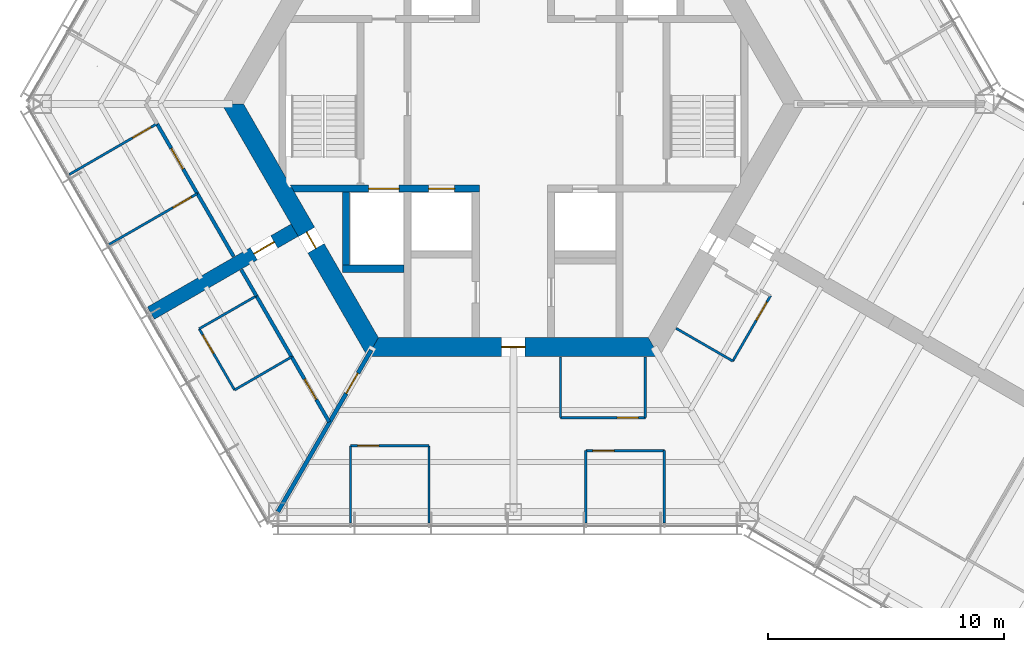
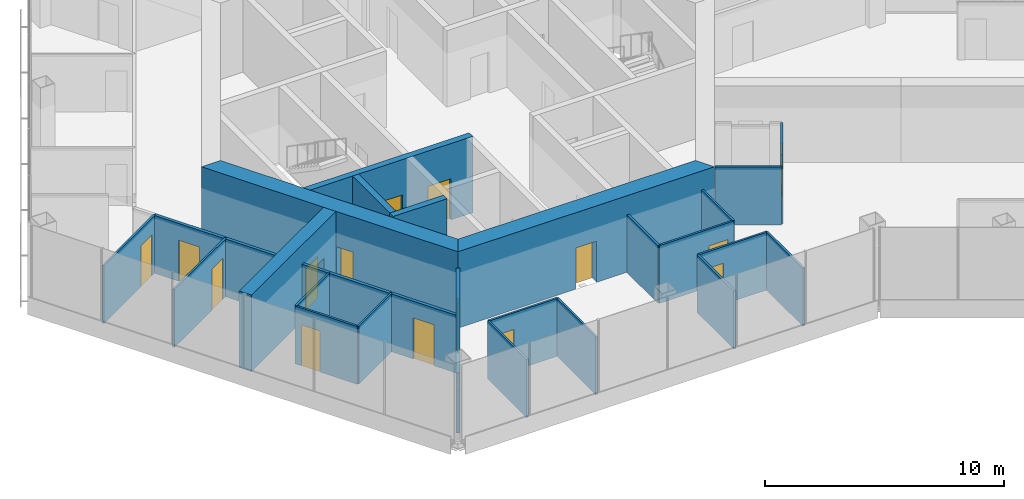
# One storey, part 10 of 17: 28 walls, 15 doors, 15 openings.
"""IFC4 building model written with IfcOpenShell, lengths in metres."""

import ifcopenshell
import ifcopenshell.guid

model = None  # the IFC model being written
_history = None  # IfcOwnerHistory: only IFC2X3 demands one
_inside = {}  # id of a spatial element -> (the spatial element, [elements in it])
_under = {}  # id of a project, library or spatial element -> (it, [spatial elements below it])
_declared = {}  # id of a project -> (the project, [libraries it declares])
_typed = {}  # id of a type object -> (the type object, [elements of that type])
_made_of = {}  # id of a material, layer set ... -> (it, [elements and type objects made of it])


def new_model(schema):
    """Start an empty IFC model of exactly this schema.

    Asked for "IFC4X3", IfcOpenShell would pick the latest addendum, in which some entities
    have other attributes; the version numbers below select the first issue.
    IFC2X3 requires an IfcOwnerHistory on every rooted entity: one is made here for all.
    """
    global model, _history
    if schema == "IFC4X3":
        model = ifcopenshell.file(schema_version=(4, 3, 0, 0))
    else:
        model = ifcopenshell.file(schema=schema)
    _inside.clear()
    _under.clear()
    _declared.clear()
    _typed.clear()
    _made_of.clear()
    _history = None
    if model.schema == "IFC2X3":
        org = make("IfcOrganization", Name="unknown")
        user = make(
            "IfcPersonAndOrganization",
            ThePerson=make("IfcPerson", FamilyName="unknown"),
            TheOrganization=org,
        )
        app = make(
            "IfcApplication",
            ApplicationDeveloper=org,
            Version="unknown",
            ApplicationFullName="unknown",
            ApplicationIdentifier="unknown",
        )
        _history = make(
            "IfcOwnerHistory",
            OwningUser=user,
            OwningApplication=app,
            ChangeAction="ADDED",
            CreationDate=0,
        )
    return model


def make(cls, **values):
    """One entity of the class cls with the attributes given. An attribute that is None is left unset."""
    return model.create_entity(
        cls, **{name: value for name, value in values.items() if value is not None}
    )


def rooted(cls, **values):
    """An entity with a GlobalId (a new one), such as an element, a storey or a relation."""
    return make(cls, GlobalId=ifcopenshell.guid.new(), OwnerHistory=_history, **values)


def si_unit(unit_type, name, prefix=None):
    """IfcSIUnit, for example si_unit("LENGTHUNIT", "METRE", prefix="MILLI")."""
    return make("IfcSIUnit", UnitType=unit_type, Prefix=prefix, Name=name)


def assignment(units):
    """IfcUnitAssignment: the units of a project."""
    return None if units is None else make("IfcUnitAssignment", Units=units)


def point(xyz):
    """IfcCartesianPoint."""
    return None if xyz is None else make("IfcCartesianPoint", Coordinates=xyz)


def direction(xyz):
    """IfcDirection."""
    return None if xyz is None else make("IfcDirection", DirectionRatios=xyz)


def frame(location, z_axis=None, x_axis=None):
    """IfcAxis2Placement3D, a coordinate frame: its origin and axes. An axis left out is left unset."""
    return make(
        "IfcAxis2Placement3D",
        Location=point(location),
        Axis=direction(z_axis),
        RefDirection=direction(x_axis),
    )


def frame_2d(location, x_axis=None):
    """IfcAxis2Placement2D, a coordinate frame in the plane: its origin and x axis."""
    return make(
        "IfcAxis2Placement2D", Location=point(location), RefDirection=direction(x_axis)
    )


def origin():
    """The frame at (0, 0, 0) with its axes left unset."""
    return frame((0.0, 0.0, 0.0))


def place(relative_to, where):
    """IfcLocalPlacement: puts the frame where relative to a parent placement (None: the world)."""
    return make(
        "IfcLocalPlacement", PlacementRelTo=relative_to, RelativePlacement=where
    )


def context(
    kind, dimensions, precision=None, world=None, true_north=None, identifier=None
):
    """IfcGeometricRepresentationContext, for example the 3D "Model" context."""
    return make(
        "IfcGeometricRepresentationContext",
        ContextIdentifier=identifier,
        ContextType=kind,
        CoordinateSpaceDimension=dimensions,
        Precision=precision,
        WorldCoordinateSystem=world,
        TrueNorth=true_north,
    )


def subcontext(parent, identifier, kind, view, scale=None):
    """IfcGeometricRepresentationSubContext, for example "Body" below "Model"."""
    return make(
        "IfcGeometricRepresentationSubContext",
        ContextIdentifier=identifier,
        ContextType=kind,
        ParentContext=parent,
        TargetScale=scale,
        TargetView=view,
    )


def project(units=None, contexts=None):
    """IfcProject with its units and contexts."""
    return rooted(
        "IfcProject",
        Name="project",
        RepresentationContexts=contexts,
        UnitsInContext=assignment(units),
    )


def spatial(cls, under=None, at=None, **own):
    """A site, building, storey or space (cls), placed at a placement, below another one or the project."""
    s = rooted(cls, ObjectPlacement=at, **own)
    if under is not None:
        _under.setdefault(under.id(), (under, []))[1].append(s)
    return s


def polyline(points):
    """IfcPolyline through the points."""
    return make("IfcPolyline", Points=[point(p) for p in points])


def profile(cls, at=None, kind="AREA", **sizes):
    """A parametric profile (cls). Its sizes go by their IFC names, for example OverallWidth=200.0."""
    return make(cls, ProfileType=kind, Position=at, **sizes)


def rectangle(**sizes):
    """IfcRectangleProfileDef."""
    return profile("IfcRectangleProfileDef", **sizes)


def outline(outer, holes=None, kind="AREA"):
    """IfcArbitraryClosedProfileDef: a profile drawn as a closed curve; with holes, ...WithVoids."""
    if holes is None:
        return make("IfcArbitraryClosedProfileDef", ProfileType=kind, OuterCurve=outer)
    return make(
        "IfcArbitraryProfileDefWithVoids",
        ProfileType=kind,
        OuterCurve=outer,
        InnerCurves=holes,
    )


def extrude(swept, where, along, depth):
    """IfcExtrudedAreaSolid: the profile swept, set in the frame where, extruded along a direction by depth."""
    return make(
        "IfcExtrudedAreaSolid",
        SweptArea=swept,
        Position=where,
        ExtrudedDirection=direction(along),
        Depth=depth,
    )


def shape(context_of_items, identifier, shape_type, items):
    """IfcShapeRepresentation: the items that make up one representation, for example the "Body"."""
    return make(
        "IfcShapeRepresentation",
        ContextOfItems=context_of_items,
        RepresentationIdentifier=identifier,
        RepresentationType=shape_type,
        Items=items,
    )


def material(Name=None, Category=None):
    """IfcMaterial."""
    return make("IfcMaterial", Name=Name, Category=Category)


def layer(
    of_material, thickness, ventilated=None, Name=None, Category=None, Priority=None
):
    """IfcMaterialLayer: one layer of a wall or slab, of a material (None: an air gap)."""
    return make(
        "IfcMaterialLayer",
        Material=of_material,
        LayerThickness=thickness,
        IsVentilated=ventilated,
        Name=Name,
        Category=Category,
        Priority=Priority,
    )


def layer_set(layers, Name=None):
    """IfcMaterialLayerSet."""
    return make("IfcMaterialLayerSet", MaterialLayers=layers, LayerSetName=Name)


def made_of(thing, what):
    """Note that an element or type object is made of a material, layer set ...; save() writes the relation."""
    if what is not None:
        _made_of.setdefault(what.id(), (what, []))[1].append(thing)
    return thing


def type_object(cls, material=None, **own):
    """A type object (cls), such as IfcWallType, which elements share."""
    return made_of(rooted(cls, **own), material)


def element(
    cls,
    number,
    at=None,
    inside=None,
    cuts=None,
    type_object=None,
    material=None,
    context=None,
    identifier="Body",
    shape_type=None,
    held_by="IfcProductDefinitionShape",
    body=None,
    shapes=None,
    **own,
):
    """One element of the class cls, such as IfcWall. Its Tag is "e" and its number.

    at: its placement. inside: the storey or other place that contains it. cuts: it is an
    opening in that element (IfcRelVoidsElement). A single representation is given by context,
    identifier, shape_type and body (its items); several are given by shapes. held_by: the class
    of the entity that holds the representations. save() writes the other relations.
    """
    e = rooted(cls, Tag="e%d" % number, ObjectPlacement=at, **own)
    if body is not None:
        shapes = [shape(context, identifier, shape_type, body)]
    if shapes is not None:
        e.Representation = make(held_by, Representations=shapes)
    if inside is not None:
        _inside.setdefault(inside.id(), (inside, []))[1].append(e)
    if cuts is not None:
        rooted(
            "IfcRelVoidsElement", RelatingBuildingElement=cuts, RelatedOpeningElement=e
        )
    if type_object is not None:
        _typed.setdefault(type_object.id(), (type_object, []))[1].append(e)
    return made_of(e, material)


def fill(opening, filler):
    """IfcRelFillsElement: the door or window that sits in an opening."""
    return rooted(
        "IfcRelFillsElement",
        RelatingOpeningElement=opening,
        RelatedBuildingElement=filler,
    )


def aggregate(whole, parts):
    """IfcRelAggregates: a whole, such as a stair, and the parts it consists of."""
    return rooted("IfcRelAggregates", RelatingObject=whole, RelatedObjects=parts)


def save(model, path):
    """Write the relations noted so far, then the file.

    IfcRelAggregates (storeys below a building ...), IfcRelContainedInSpatialStructure (elements
    in a storey), IfcRelDefinesByType, IfcRelAssociatesMaterial and IfcRelDeclares: one each for
    every whole, place, type object, material and project.
    """
    for whole, parts in _under.values():
        aggregate(whole, parts)
    for where, things in _inside.values():
        rooted(
            "IfcRelContainedInSpatialStructure",
            RelatedElements=things,
            RelatingStructure=where,
        )
    for kind, things in _typed.values():
        rooted("IfcRelDefinesByType", RelatedObjects=things, RelatingType=kind)
    for what, things in _made_of.values():
        rooted("IfcRelAssociatesMaterial", RelatedObjects=things, RelatingMaterial=what)
    for by, libraries in _declared.values():
        rooted("IfcRelDeclares", RelatingContext=by, RelatedDefinitions=libraries)
    model.write(path)


model = new_model("IFC4")

# Units and contexts
model_context = context("Model", 3, precision=1e-05, world=origin(), true_north=direction((0.0, 1.0)))
body_context = subcontext(model_context, "Body", "Model", "MODEL_VIEW")
ifc_project = project(units=[si_unit("LENGTHUNIT", "METRE"), si_unit("AREAUNIT", "SQUARE_METRE"), si_unit("VOLUMEUNIT", "CUBIC_METRE"), si_unit("PLANEANGLEUNIT", "RADIAN"), si_unit("MASSUNIT", "GRAM", prefix="KILO")], contexts=[model_context])

# Site, building, storey
site_placement = place(None, origin())
site = spatial("IfcSite", under=ifc_project, at=site_placement, CompositionType="ELEMENT")
building_placement = place(site_placement, origin())
building = spatial("IfcBuilding", under=site, at=building_placement, Name="Kasaneha Research Tower", CompositionType="ELEMENT")
storey_placement = place(building_placement, frame((0.0, 0.0, 224.5)))
storey = spatial("IfcBuildingStorey", under=building, at=storey_placement, Name="L56", CompositionType="ELEMENT", Elevation=224.5)

# Wall, openings, doors
ifc_material_1 = material(Name="Concrete Fc60", Category="concrete")
ifc_layer_1 = layer(ifc_material_1, 0.300048828125)
ifc_layer_set_1 = layer_set([ifc_layer_1], Name="Core internal wall 300 Fc60")
wall_type_1 = type_object("IfcWallType", Name="Core internal wall 300 Fc60", PredefinedType="SHEAR", material=ifc_layer_set_1)
wall_1_placement = place(storey_placement, frame((-9.3818359375, -3.60009765625, 0.0), z_axis=(0.0, 0.0, 1.0), x_axis=(1.0, 0.0, 0.0)))
wall_1 = element("IfcWall", 1, at=wall_1_placement, inside=storey, type_object=wall_type_1, Name="Core wall W2W L56", PredefinedType="SHEAR", context=body_context, shape_type="SweptSolid", body=[
    extrude(outline(polyline([(0.086669921875, -0.14990234375), (3.23193359375, -0.14990234375), (4.531982421875, -0.14990234375), (5.781982421875, -0.14990234375), (6.882080078125, -0.14990234375), (7.931884765625, -0.14990234375), (7.931884765625, 0.14990234375), (6.882080078125, 0.14990234375), (5.781982421875, 0.14990234375), (4.531982421875, 0.14990234375), (3.23193359375, 0.14990234375), (-0.086669921875, 0.14990234375), (0.086669921875, -0.14990234375)])), origin(), (0.0, 0.0, 1.0), 3.89990234375),
])
opening_1_placement = place(wall_1_placement, frame((5.781982421875, 0.0, 0.0)))
opening_1 = element("IfcOpeningElement", 2, at=opening_1_placement, cuts=wall_1, Name="Opening LD-LH1-L56", PredefinedType="OPENING", context=body_context, shape_type="SweptSolid", body=[
    extrude(rectangle(XDim=1.10009765625, YDim=2.10009765625, at=frame_2d((0.550048828125, 1.050048828125))), frame((0.0, 0.16015625, 0.0), z_axis=(0.0, -1.0, 0.0), x_axis=(1.0, 0.0, 0.0)), (0.0, 0.0, 1.0), 0.320068359375),
])
opening_2_placement = place(wall_1_placement, frame((3.23193359375, 0.0, 0.0)))
opening_2 = element("IfcOpeningElement", 3, at=opening_2_placement, cuts=wall_1, Name="Opening LD-FL2-L56", PredefinedType="OPENING", context=body_context, shape_type="SweptSolid", body=[
    extrude(rectangle(XDim=1.300048828125, YDim=2.10009765625, at=frame_2d((0.64990234375, 1.050048828125))), frame((0.0, 0.16015625, 0.0), z_axis=(0.0, -1.0, 0.0), x_axis=(1.0, 0.0, 0.0)), (0.0, 0.0, 1.0), 0.320068359375),
])
ifc_material_2 = material(Name="Steel", Category="steel")
door_type_1 = type_object("IfcDoorType", Name="Lift landing door 1100x2100", OperationType="DOUBLE_DOOR_SLIDING", PredefinedType="DOOR", material=ifc_material_2)
door_1_placement = place(opening_1_placement, origin())
door_1 = element("IfcDoor", 4, at=door_1_placement, inside=storey, type_object=door_type_1, Name="Landing door LH1 LD-LH1-L56", OperationType="DOUBLE_DOOR_SLIDING", OverallHeight=2.10009765625, OverallWidth=1.10009765625, PredefinedType="DOOR", context=body_context, shape_type="SweptSolid", body=[
    extrude(rectangle(XDim=1.10009765625, YDim=2.10009765625, at=frame_2d((0.550048828125, 1.050048828125))), frame((0.0, 0.02490234375, 0.0), z_axis=(0.0, -1.0, 0.0), x_axis=(1.0, 0.0, 0.0)), (0.0, 0.0, 1.0), 0.050048828125),
])
fill(opening_1, door_1)
ifc_material_3 = material(Name="Steel", Category="steel")
door_type_2 = type_object("IfcDoorType", Name="Lift landing door 1300x2100", OperationType="DOUBLE_DOOR_SLIDING", PredefinedType="DOOR", material=ifc_material_3)
door_2_placement = place(opening_2_placement, origin())
door_2 = element("IfcDoor", 5, at=door_2_placement, inside=storey, type_object=door_type_2, Name="Landing door FL2 LD-FL2-L56", OperationType="DOUBLE_DOOR_SLIDING", OverallHeight=2.10009765625, OverallWidth=1.300048828125, PredefinedType="DOOR", context=body_context, shape_type="SweptSolid", body=[
    extrude(rectangle(XDim=1.300048828125, YDim=2.10009765625, at=frame_2d((0.64990234375, 1.050048828125))), frame((0.0, 0.02490234375, 0.0), z_axis=(0.0, -1.0, 0.0), x_axis=(1.0, 0.0, 0.0)), (0.0, 0.0, 1.0), 0.050048828125),
])
fill(opening_2, door_2)

# Walls
wall_2_placement = place(storey_placement, frame((-7.25, -7.0, 0.0), z_axis=(0.0, 0.0, 1.0), x_axis=(1.0, 0.0, 0.0)))
element("IfcWall", 6, at=wall_2_placement, inside=storey, type_object=wall_type_1, Name="Core wall F2S L56", PredefinedType="SHEAR", context=body_context, shape_type="SweptSolid", body=[
    extrude(rectangle(XDim=2.60009765625, YDim=0.300048828125, at=frame_2d((1.300048828125, 0.0))), origin(), (0.0, 0.0, 1.0), 3.89990234375),
])
wall_3_placement = place(storey_placement, frame((-7.10009765625, -3.75, 0.0), z_axis=(0.0, 0.0, 1.0), x_axis=(0.0, -1.0, 0.0)))
element("IfcWall", 7, at=wall_3_placement, inside=storey, type_object=wall_type_1, Name="Core wall F2W L56", PredefinedType="SHEAR", context=body_context, shape_type="SweptSolid", body=[
    extrude(rectangle(XDim=3.10009765625, YDim=0.300048828125, at=frame_2d((1.550048828125, 0.0))), origin(), (0.0, 0.0, 1.0), 3.89990234375),
])

# Wall, opening, door
ifc_material_4 = material(Name="Concrete Fc60", Category="concrete")
ifc_layer_2 = layer(ifc_material_4, 0.800048828125)
ifc_layer_set_2 = layer_set([ifc_layer_2], Name="Core wall 800 Fc60")
wall_type_2 = type_object("IfcWallType", Name="Core wall 800 Fc60", PredefinedType="SHEAR", material=ifc_layer_set_2)
wall_4_placement = place(storey_placement, frame((-11.92236328125, 0.0, 0.0), z_axis=(0.0, 0.0, 1.0), x_axis=(0.500004296715, -0.866022923061, 0.0)))
wall_4 = element("IfcWall", 8, at=wall_4_placement, inside=storey, type_object=wall_type_2, Name="Core wall 210 L56", PredefinedType="SHEAR", context=body_context, shape_type="SweptSolid", body=[
    extrude(outline(polyline([(-0.23095703125, -0.39990234375), (6.28125, -0.39990234375), (7.081298828125, -0.39990234375), (12.1533203125, -0.39990234375), (11.69140625, 0.39990234375), (7.081298828125, 0.39990234375), (6.28125, 0.39990234375), (0.23095703125, 0.39990234375), (-0.23095703125, -0.39990234375)])), origin(), (0.0, 0.0, 1.0), 3.89990234375),
])
opening_3_placement = place(wall_4_placement, frame((6.28125, 0.0, 0.0)))
opening_3 = element("IfcOpeningElement", 9, at=opening_3_placement, cuts=wall_4, Name="Opening L56-D06", PredefinedType="OPENING", context=body_context, shape_type="SweptSolid", body=[
    extrude(rectangle(XDim=0.800048828125, YDim=2.10009765625, at=frame_2d((0.39990234375, 1.050048828125))), frame((0.0, 0.41015625, 0.0), z_axis=(0.0, -1.0, 0.0), x_axis=(1.0, 0.0, 0.0)), (0.0, 0.0, 1.0), 0.820068359375),
])
ifc_material_5 = material(Name="Steel", Category="steel")
door_type_3 = type_object("IfcDoorType", Name="Riser access door FD60 800x2100", OperationType="NOTDEFINED", PredefinedType="DOOR", material=ifc_material_5)
door_3_placement = place(opening_3_placement, origin())
door_3 = element("IfcDoor", 10, at=door_3_placement, inside=storey, type_object=door_type_3, Name="Duct riser door L56-D06", OperationType="SINGLE_SWING_RIGHT", OverallHeight=2.10009765625, OverallWidth=0.800048828125, PredefinedType="DOOR", context=body_context, shape_type="SweptSolid", body=[
    extrude(rectangle(XDim=0.800048828125, YDim=2.10009765625, at=frame_2d((0.39990234375, 1.050048828125))), frame((0.0, 0.02490234375, 0.0), z_axis=(0.0, -1.0, 0.0), x_axis=(1.0, 0.0, 0.0)), (0.0, 0.0, 1.0), 0.050048828125),
])
fill(opening_3, door_3)

wall_5_placement = place(storey_placement, frame((-5.961181640625, -10.324951171875, 0.0), z_axis=(0.0, 0.0, 1.0), x_axis=(1.0, 0.0, 0.0)))
wall_5 = element("IfcWall", 11, at=wall_5_placement, inside=storey, type_object=wall_type_2, Name="Core wall 270 L56", PredefinedType="SHEAR", context=body_context, shape_type="SweptSolid", body=[
    extrude(outline(polyline([(-0.23095703125, -0.39990234375), (5.461181640625, -0.39990234375), (6.461181640625, -0.39990234375), (12.1533203125, -0.39990234375), (11.69140625, 0.39990234375), (6.461181640625, 0.39990234375), (5.461181640625, 0.39990234375), (0.23095703125, 0.39990234375), (-0.23095703125, -0.39990234375)])), origin(), (0.0, 0.0, 1.0), 3.89990234375),
])
opening_4_placement = place(wall_5_placement, frame((5.461181640625, 0.0, 0.0)))
opening_4 = element("IfcOpeningElement", 12, at=opening_4_placement, cuts=wall_5, Name="Opening L56-D03", PredefinedType="OPENING", context=body_context, shape_type="SweptSolid", body=[
    extrude(rectangle(XDim=1.0, YDim=2.10009765625, at=frame_2d((0.5, 1.050048828125))), frame((0.0, 0.41015625, 0.0), z_axis=(0.0, -1.0, 0.0), x_axis=(1.0, 0.0, 0.0)), (0.0, 0.0, 1.0), 0.820068359375),
])
ifc_material_6 = material(Name="Steel", Category="steel")
door_type_4 = type_object("IfcDoorType", Name="Fire door FD20 1000x2100", OperationType="NOTDEFINED", PredefinedType="DOOR", material=ifc_material_6)
door_4_placement = place(opening_4_placement, origin())
door_4 = element("IfcDoor", 13, at=door_4_placement, inside=storey, type_object=door_type_4, Name="Core door south L56-D03", OperationType="SINGLE_SWING_LEFT", OverallHeight=2.10009765625, OverallWidth=1.0, PredefinedType="DOOR", context=body_context, shape_type="SweptSolid", body=[
    extrude(rectangle(XDim=1.0, YDim=2.10009765625, at=frame_2d((0.5, 1.050048828125))), frame((0.0, 0.02490234375, 0.0), z_axis=(0.0, -1.0, 0.0), x_axis=(1.0, 0.0, 0.0)), (0.0, 0.0, 1.0), 0.050048828125),
])
fill(opening_4, door_4)

ifc_material_7 = material(Name="Gypsum board on steel studs, one layer each side", Category="steel")
ifc_layer_3 = layer(ifc_material_7, 0.10009765625)
ifc_layer_set_3 = layer_set([ifc_layer_3], Name="Office partition 100")
wall_type_3 = type_object("IfcWallType", Name="Office partition 100", PredefinedType="PARTITIONING", material=ifc_layer_set_3)
wall_6_placement = place(storey_placement, frame((-17.171142578125, -5.969970703125, 0.0), z_axis=(0.0, 0.0, 1.0), x_axis=(0.866548575966, 0.499092742374, 0.0)))
wall_6 = element("IfcWall", 14, at=wall_6_placement, inside=storey, type_object=wall_type_3, Name="Office partition FBN11 L56", PredefinedType="PARTITIONING", context=body_context, shape_type="SweptSolid", body=[
    extrude(rectangle(XDim=4.33056640625, YDim=0.10009765625, at=frame_2d((2.165283203125, 0.0))), origin(), (0.0, 0.0, 1.0), 2.949951171875),
])
opening_5_placement = place(wall_6_placement, frame((3.130615234375, 0.0, 0.0)))
opening_5 = element("IfcOpeningElement", 15, at=opening_5_placement, cuts=wall_6, Name="Opening L56-D37", PredefinedType="OPENING", context=body_context, shape_type="SweptSolid", body=[
    extrude(rectangle(XDim=0.89990234375, YDim=2.10009765625, at=frame_2d((0.449951171875, 1.050048828125))), frame((0.0, 0.06005859375, 0.0), z_axis=(0.0, -1.0, 0.0), x_axis=(1.0, 0.0, 0.0)), (0.0, 0.0, 1.0), 0.1201171875),
])
ifc_material_8 = material(Name="Timber veneer", Category="wood")
door_type_5 = type_object("IfcDoorType", Name="Office door 900x2100", OperationType="SINGLE_SWING_LEFT", PredefinedType="DOOR", material=ifc_material_8)
door_5_placement = place(opening_5_placement, origin())
door_5 = element("IfcDoor", 16, at=door_5_placement, inside=storey, type_object=door_type_5, Name="Workroom door L56-D37", OperationType="SINGLE_SWING_RIGHT", OverallHeight=2.10009765625, OverallWidth=0.89990234375, PredefinedType="DOOR", context=body_context, shape_type="SweptSolid", body=[
    extrude(rectangle(XDim=0.89990234375, YDim=2.10009765625, at=frame_2d((0.449951171875, 1.050048828125))), frame((0.0, 0.02490234375, 0.0), z_axis=(0.0, -1.0, 0.0), x_axis=(1.0, 0.0, 0.0)), (0.0, 0.0, 1.0), 0.050048828125),
])
fill(opening_5, door_5)

wall_7_placement = place(storey_placement, frame((-15.130615234375, -0.843017578125, 0.0), z_axis=(0.0, 0.0, 1.0), x_axis=(-0.865525911664, -0.500864149484, 0.0)))
wall_7 = element("IfcWall", 17, at=wall_7_placement, inside=storey, type_object=wall_type_3, Name="Office partition FBN12 L56", PredefinedType="PARTITIONING", context=body_context, shape_type="SweptSolid", body=[
    extrude(rectangle(XDim=4.3056640625, YDim=0.10009765625, at=frame_2d((2.15283203125, 0.0))), origin(), (0.0, 0.0, 1.0), 2.949951171875),
])
opening_6_placement = place(wall_7_placement, frame((0.300048828125, 0.0, 0.0)))
opening_6 = element("IfcOpeningElement", 18, at=opening_6_placement, cuts=wall_7, Name="Opening L56-D38", PredefinedType="OPENING", context=body_context, shape_type="SweptSolid", body=[
    extrude(rectangle(XDim=0.89990234375, YDim=2.10009765625, at=frame_2d((0.449951171875, 1.050048828125))), frame((0.0, 0.06005859375, 0.0), z_axis=(0.0, -1.0, 0.0), x_axis=(1.0, 0.0, 0.0)), (0.0, 0.0, 1.0), 0.1201171875),
])
door_6_placement = place(opening_6_placement, origin())
door_6 = element("IfcDoor", 19, at=door_6_placement, inside=storey, type_object=door_type_5, Name="Phone room door L56-D38", OperationType="SINGLE_SWING_LEFT", OverallHeight=2.10009765625, OverallWidth=0.89990234375, PredefinedType="DOOR", context=body_context, shape_type="SweptSolid", body=[
    extrude(rectangle(XDim=0.89990234375, YDim=2.10009765625, at=frame_2d((0.449951171875, 1.050048828125))), frame((0.0, 0.02490234375, 0.0), z_axis=(0.0, -1.0, 0.0), x_axis=(1.0, 0.0, 0.0)), (0.0, 0.0, 1.0), 0.050048828125),
])
fill(opening_6, door_6)

# Wall
wall_8_placement = place(storey_placement, frame((-13.337890625, -9.548095703125, 0.0), z_axis=(0.0, 0.0, 1.0), x_axis=(0.866833758708, 0.498597267105, 0.0)))
element("IfcWall", 20, at=wall_8_placement, inside=storey, type_object=wall_type_3, Name="Office partition FBS04 L56", PredefinedType="PARTITIONING", context=body_context, shape_type="SweptSolid", body=[
    extrude(rectangle(XDim=2.7998046875, YDim=0.10009765625, at=frame_2d((1.39990234375, 0.0))), origin(), (0.0, 0.0, 1.0), 2.949951171875),
])

# Wall, opening, door
wall_9_placement = place(storey_placement, frame((-11.837890625, -12.146240234375, 0.0), z_axis=(0.0, 0.0, 1.0), x_axis=(-0.499990139034, 0.866031096941, 0.0)))
wall_9 = element("IfcWall", 21, at=wall_9_placement, inside=storey, type_object=wall_type_3, Name="Office partition FBS05 L56", PredefinedType="PARTITIONING", context=body_context, shape_type="SweptSolid", body=[
    extrude(rectangle(XDim=3.0, YDim=0.10009765625, at=frame_2d((1.5, 0.0))), origin(), (0.0, 0.0, 1.0), 2.949951171875),
])
opening_7_placement = place(wall_9_placement, frame((1.800048828125, 0.0, 0.0)))
opening_7 = element("IfcOpeningElement", 22, at=opening_7_placement, cuts=wall_9, Name="Opening L56-D40", PredefinedType="OPENING", context=body_context, shape_type="SweptSolid", body=[
    extrude(rectangle(XDim=0.89990234375, YDim=2.10009765625, at=frame_2d((0.449951171875, 1.050048828125))), frame((0.0, 0.06005859375, 0.0), z_axis=(0.0, -1.0, 0.0), x_axis=(1.0, 0.0, 0.0)), (0.0, 0.0, 1.0), 0.1201171875),
])
door_7_placement = place(opening_7_placement, origin())
door_7 = element("IfcDoor", 23, at=door_7_placement, inside=storey, type_object=door_type_5, Name="Pantry door L56-D40", OperationType="SINGLE_SWING_RIGHT", OverallHeight=2.10009765625, OverallWidth=0.89990234375, PredefinedType="DOOR", context=body_context, shape_type="SweptSolid", body=[
    extrude(rectangle(XDim=0.89990234375, YDim=2.10009765625, at=frame_2d((0.449951171875, 1.050048828125))), frame((0.0, 0.02490234375, 0.0), z_axis=(0.0, -1.0, 0.0), x_axis=(1.0, 0.0, 0.0)), (0.0, 0.0, 1.0), 0.050048828125),
])
fill(opening_7, door_7)

# Walls
wall_10_placement = place(storey_placement, frame((-9.415283203125, -10.7421875, 0.0), z_axis=(0.0, 0.0, 1.0), x_axis=(-0.865195372903, -0.501434907746, 0.0)))
element("IfcWall", 24, at=wall_10_placement, inside=storey, type_object=wall_type_3, Name="Office partition FBS06 L56", PredefinedType="PARTITIONING", context=body_context, shape_type="SweptSolid", body=[
    extrude(rectangle(XDim=2.800048828125, YDim=0.10009765625, at=frame_2d((1.39990234375, 0.0))), origin(), (0.0, 0.0, 1.0), 2.949951171875),
])
wall_11_placement = place(storey_placement, frame((9.31298828125, -10.91943359375, 0.0), z_axis=(0.0, 0.0, 1.0), x_axis=(-0.865996920067, 0.500049332001, 0.0)))
element("IfcWall", 25, at=wall_11_placement, inside=storey, type_object=wall_type_3, Name="Office partition FCS03 L56", PredefinedType="PARTITIONING", context=body_context, shape_type="SweptSolid", body=[
    extrude(rectangle(XDim=2.780029296875, YDim=0.10009765625, at=frame_2d((1.39013671875, 0.0))), origin(), (0.0, 0.0, 1.0), 2.949951171875),
])

# Wall, opening, door
wall_12_placement = place(storey_placement, frame((10.9130859375, -8.148193359375, 0.0), z_axis=(0.0, 0.0, 1.0), x_axis=(-0.500028443584, -0.866008981251, 0.0)))
wall_12 = element("IfcWall", 26, at=wall_12_placement, inside=storey, type_object=wall_type_3, Name="Office partition FCS05 L56", PredefinedType="PARTITIONING", context=body_context, shape_type="SweptSolid", body=[
    extrude(rectangle(XDim=3.199951171875, YDim=0.10009765625, at=frame_2d((1.60009765625, 0.0))), origin(), (0.0, 0.0, 1.0), 2.949951171875),
])
opening_8_placement = place(wall_12_placement, frame((0.300048828125, 0.0, 0.0)))
opening_8 = element("IfcOpeningElement", 27, at=opening_8_placement, cuts=wall_12, Name="Opening L56-D43", PredefinedType="OPENING", context=body_context, shape_type="SweptSolid", body=[
    extrude(rectangle(XDim=0.89990234375, YDim=2.10009765625, at=frame_2d((0.449951171875, 1.050048828125))), frame((0.0, 0.06005859375, 0.0), z_axis=(0.0, -1.0, 0.0), x_axis=(1.0, 0.0, 0.0)), (0.0, 0.0, 1.0), 0.1201171875),
])
door_8_placement = place(opening_8_placement, origin())
door_8 = element("IfcDoor", 28, at=door_8_placement, inside=storey, type_object=door_type_5, Name="Pantry door L56-D43", OperationType="SINGLE_SWING_LEFT", OverallHeight=2.10009765625, OverallWidth=0.89990234375, PredefinedType="DOOR", context=body_context, shape_type="SweptSolid", body=[
    extrude(rectangle(XDim=0.89990234375, YDim=2.10009765625, at=frame_2d((0.449951171875, 1.050048828125))), frame((0.0, 0.02490234375, 0.0), z_axis=(0.0, -1.0, 0.0), x_axis=(1.0, 0.0, 0.0)), (0.0, 0.0, 1.0), 0.050048828125),
])
fill(opening_8, door_8)

# Wall
wall_13_placement = place(storey_placement, frame((-6.91552734375, -17.800537109375, 0.0), z_axis=(0.0, 0.0, 1.0), x_axis=(0.0, 1.0, 0.0)))
element("IfcWall", 29, at=wall_13_placement, inside=storey, type_object=wall_type_3, Name="Office partition FCS06 L56", PredefinedType="PARTITIONING", context=body_context, shape_type="SweptSolid", body=[
    extrude(rectangle(XDim=3.280029296875, YDim=0.10009765625, at=frame_2d((1.64013671875, 0.0))), origin(), (0.0, 0.0, 1.0), 2.949951171875),
])

# Wall, opening, door
wall_14_placement = place(storey_placement, frame((-6.91552734375, -14.5205078125, 0.0), z_axis=(0.0, 0.0, 1.0), x_axis=(1.0, 0.0, 0.0)))
wall_14 = element("IfcWall", 30, at=wall_14_placement, inside=storey, type_object=wall_type_3, Name="Office partition FCS07 L56", PredefinedType="PARTITIONING", context=body_context, shape_type="SweptSolid", body=[
    extrude(rectangle(XDim=3.3310546875, YDim=0.10009765625, at=frame_2d((1.66552734375, 0.0))), origin(), (0.0, 0.0, 1.0), 2.949951171875),
])
opening_9_placement = place(wall_14_placement, frame((0.300048828125, 0.0, 0.0)))
opening_9 = element("IfcOpeningElement", 31, at=opening_9_placement, cuts=wall_14, Name="Opening L56-D44", PredefinedType="OPENING", context=body_context, shape_type="SweptSolid", body=[
    extrude(rectangle(XDim=0.89990234375, YDim=2.10009765625, at=frame_2d((0.449951171875, 1.050048828125))), frame((0.0, 0.06005859375, 0.0), z_axis=(0.0, -1.0, 0.0), x_axis=(1.0, 0.0, 0.0)), (0.0, 0.0, 1.0), 0.1201171875),
])
door_9_placement = place(opening_9_placement, origin())
door_9 = element("IfcDoor", 32, at=door_9_placement, inside=storey, type_object=door_type_5, Name="Manager's office door L56-D44", OperationType="SINGLE_SWING_LEFT", OverallHeight=2.10009765625, OverallWidth=0.89990234375, PredefinedType="DOOR", context=body_context, shape_type="SweptSolid", body=[
    extrude(rectangle(XDim=0.89990234375, YDim=2.10009765625, at=frame_2d((0.449951171875, 1.050048828125))), frame((0.0, 0.02490234375, 0.0), z_axis=(0.0, -1.0, 0.0), x_axis=(1.0, 0.0, 0.0)), (0.0, 0.0, 1.0), 0.050048828125),
])
fill(opening_9, door_9)

# Walls
wall_15_placement = place(storey_placement, frame((-3.58447265625, -14.5205078125, 0.0), z_axis=(0.0, 0.0, 1.0), x_axis=(0.0, -1.0, 0.0)))
element("IfcWall", 33, at=wall_15_placement, inside=storey, type_object=wall_type_3, Name="Office partition FCS08 L56", PredefinedType="PARTITIONING", context=body_context, shape_type="SweptSolid", body=[
    extrude(rectangle(XDim=3.280029296875, YDim=0.10009765625, at=frame_2d((1.64013671875, 0.0))), origin(), (0.0, 0.0, 1.0), 2.949951171875),
])
wall_16_placement = place(storey_placement, frame((2.0, -13.324951171875, 0.0), z_axis=(0.0, 0.0, 1.0), x_axis=(0.0, 1.0, 0.0)))
element("IfcWall", 34, at=wall_16_placement, inside=storey, type_object=wall_type_3, Name="Office partition FCS13 L56", PredefinedType="PARTITIONING", context=body_context, shape_type="SweptSolid", body=[
    extrude(rectangle(XDim=2.579833984375, YDim=0.10009765625, at=frame_2d((1.2900390625, 0.0))), origin(), (0.0, 0.0, 1.0), 2.949951171875),
])

# Wall, opening, door
wall_17_placement = place(storey_placement, frame((5.60009765625, -13.324951171875, 0.0), z_axis=(0.0, 0.0, 1.0), x_axis=(-1.0, 0.0, 0.0)))
wall_17 = element("IfcWall", 35, at=wall_17_placement, inside=storey, type_object=wall_type_3, Name="Office partition FCS14 L56", PredefinedType="PARTITIONING", context=body_context, shape_type="SweptSolid", body=[
    extrude(rectangle(XDim=3.60009765625, YDim=0.10009765625, at=frame_2d((1.800048828125, 0.0))), origin(), (0.0, 0.0, 1.0), 2.949951171875),
])
opening_10_placement = place(wall_17_placement, frame((0.300048828125, 0.0, 0.0)))
opening_10 = element("IfcOpeningElement", 36, at=opening_10_placement, cuts=wall_17, Name="Opening L56-D47", PredefinedType="OPENING", context=body_context, shape_type="SweptSolid", body=[
    extrude(rectangle(XDim=0.89990234375, YDim=2.10009765625, at=frame_2d((0.449951171875, 1.050048828125))), frame((0.0, 0.06005859375, 0.0), z_axis=(0.0, -1.0, 0.0), x_axis=(1.0, 0.0, 0.0)), (0.0, 0.0, 1.0), 0.1201171875),
])
door_10_placement = place(opening_10_placement, origin())
door_10 = element("IfcDoor", 37, at=door_10_placement, inside=storey, type_object=door_type_5, Name="Phone room door L56-D47", OperationType="SINGLE_SWING_LEFT", OverallHeight=2.10009765625, OverallWidth=0.89990234375, PredefinedType="DOOR", context=body_context, shape_type="SweptSolid", body=[
    extrude(rectangle(XDim=0.89990234375, YDim=2.10009765625, at=frame_2d((0.449951171875, 1.050048828125))), frame((0.0, 0.02490234375, 0.0), z_axis=(0.0, -1.0, 0.0), x_axis=(1.0, 0.0, 0.0)), (0.0, 0.0, 1.0), 0.050048828125),
])
fill(opening_10, door_10)

# Walls
wall_18_placement = place(storey_placement, frame((5.60009765625, -10.7451171875, 0.0), z_axis=(0.0, 0.0, 1.0), x_axis=(0.0, -1.0, 0.0)))
element("IfcWall", 38, at=wall_18_placement, inside=storey, type_object=wall_type_3, Name="Office partition FCS15 L56", PredefinedType="PARTITIONING", context=body_context, shape_type="SweptSolid", body=[
    extrude(rectangle(XDim=2.579833984375, YDim=0.10009765625, at=frame_2d((1.2900390625, 0.0))), origin(), (0.0, 0.0, 1.0), 2.949951171875),
])
wall_19_placement = place(storey_placement, frame((3.077392578125, -17.800537109375, 0.0), z_axis=(0.0, 0.0, 1.0), x_axis=(0.0, 1.0, 0.0)))
element("IfcWall", 39, at=wall_19_placement, inside=storey, type_object=wall_type_3, Name="Office partition FCS16 L56", PredefinedType="PARTITIONING", context=body_context, shape_type="SweptSolid", body=[
    extrude(rectangle(XDim=3.080078125, YDim=0.10009765625, at=frame_2d((1.5400390625, 0.0))), origin(), (0.0, 0.0, 1.0), 2.949951171875),
])

# Wall, opening, door
wall_20_placement = place(storey_placement, frame((3.077392578125, -14.720458984375, 0.0), z_axis=(0.0, 0.0, 1.0), x_axis=(1.0, 0.0, 0.0)))
wall_20 = element("IfcWall", 40, at=wall_20_placement, inside=storey, type_object=wall_type_3, Name="Office partition FCS17 L56", PredefinedType="PARTITIONING", context=body_context, shape_type="SweptSolid", body=[
    extrude(rectangle(XDim=3.330810546875, YDim=0.10009765625, at=frame_2d((1.66552734375, 0.0))), origin(), (0.0, 0.0, 1.0), 2.949951171875),
])
opening_11_placement = place(wall_20_placement, frame((0.300048828125, 0.0, 0.0)))
opening_11 = element("IfcOpeningElement", 41, at=opening_11_placement, cuts=wall_20, Name="Opening L56-D48", PredefinedType="OPENING", context=body_context, shape_type="SweptSolid", body=[
    extrude(rectangle(XDim=0.89990234375, YDim=2.10009765625, at=frame_2d((0.449951171875, 1.050048828125))), frame((0.0, 0.06005859375, 0.0), z_axis=(0.0, -1.0, 0.0), x_axis=(1.0, 0.0, 0.0)), (0.0, 0.0, 1.0), 0.1201171875),
])
door_11_placement = place(opening_11_placement, origin())
door_11 = element("IfcDoor", 42, at=door_11_placement, inside=storey, type_object=door_type_5, Name="Workroom door L56-D48", OperationType="SINGLE_SWING_LEFT", OverallHeight=2.10009765625, OverallWidth=0.89990234375, PredefinedType="DOOR", context=body_context, shape_type="SweptSolid", body=[
    extrude(rectangle(XDim=0.89990234375, YDim=2.10009765625, at=frame_2d((0.449951171875, 1.050048828125))), frame((0.0, 0.02490234375, 0.0), z_axis=(0.0, -1.0, 0.0), x_axis=(1.0, 0.0, 0.0)), (0.0, 0.0, 1.0), 0.050048828125),
])
fill(opening_11, door_11)

# Wall
wall_21_placement = place(storey_placement, frame((6.408203125, -14.720458984375, 0.0), z_axis=(0.0, 0.0, 1.0), x_axis=(0.0, -1.0, 0.0)))
element("IfcWall", 43, at=wall_21_placement, inside=storey, type_object=wall_type_3, Name="Office partition FCS18 L56", PredefinedType="PARTITIONING", context=body_context, shape_type="SweptSolid", body=[
    extrude(rectangle(XDim=3.080078125, YDim=0.10009765625, at=frame_2d((1.5400390625, 0.0))), origin(), (0.0, 0.0, 1.0), 2.949951171875),
])

# Wall, opening, door
ifc_material_9 = material(Name="Concrete Fc60", Category="concrete")
ifc_layer_4 = layer(ifc_material_9, 0.60009765625)
ifc_layer_set_4 = layer_set([ifc_layer_4], Name="Spine wall 600 Fc60")
wall_type_4 = type_object("IfcWallType", Name="Spine wall 600 Fc60", PredefinedType="SHEAR", material=ifc_layer_set_4)
wall_22_placement = place(storey_placement, frame((-9.2880859375, -5.362548828125, 0.0), z_axis=(0.0, 0.0, 1.0), x_axis=(-0.866027473358, -0.499996415376, 0.0)))
wall_22 = element("IfcWall", 44, at=wall_22_placement, inside=storey, type_object=wall_type_4, Name="Spine wall B L56", PredefinedType="SHEAR", context=body_context, shape_type="SweptSolid", body=[
    extrude(rectangle(XDim=7.04541015625, YDim=0.60009765625, at=frame_2d((3.522705078125, 0.0))), origin(), (0.0, 0.0, 1.0), 3.89990234375),
])
opening_12_placement = place(wall_22_placement, frame((1.0, 0.0, 0.0)))
opening_12 = element("IfcOpeningElement", 45, at=opening_12_placement, cuts=wall_22, Name="Opening L56-D19", PredefinedType="OPENING", context=body_context, shape_type="SweptSolid", body=[
    extrude(rectangle(XDim=1.0, YDim=2.10009765625, at=frame_2d((0.5, 1.050048828125))), frame((0.0, 0.31005859375, 0.0), z_axis=(0.0, -1.0, 0.0), x_axis=(1.0, 0.0, 0.0)), (0.0, 0.0, 1.0), 0.6201171875),
])
ifc_material_10 = material(Name="Steel", Category="steel")
door_type_6 = type_object("IfcDoorType", Name="Specified fire door FD60 1000x2100", OperationType="NOTDEFINED", PredefinedType="DOOR", material=ifc_material_10)
door_12_placement = place(opening_12_placement, origin())
door_12 = element("IfcDoor", 46, at=door_12_placement, inside=storey, type_object=door_type_6, Name="Spine doorway B L56-D19", OperationType="SINGLE_SWING_LEFT", OverallHeight=2.10009765625, OverallWidth=1.0, PredefinedType="DOOR", context=body_context, shape_type="SweptSolid", body=[
    extrude(rectangle(XDim=1.0, YDim=2.10009765625, at=frame_2d((0.5, 1.050048828125))), frame((0.0, 0.02490234375, 0.0), z_axis=(0.0, -1.0, 0.0), x_axis=(1.0, 0.0, 0.0)), (0.0, 0.0, 1.0), 0.050048828125),
])
fill(opening_12, door_12)

# Wall
ifc_material_11 = material(Name="Gypsum board on steel studs, two layers each side", Category="steel")
ifc_layer_5 = layer(ifc_material_11, 0.14990234375)
ifc_layer_set_5 = layer_set([ifc_layer_5], Name="Suite partition 150")
wall_type_5 = type_object("IfcWallType", Name="Suite partition 150", PredefinedType="PARTITIONING", material=ifc_layer_set_5)
wall_23_placement = place(storey_placement, frame((-11.873046875, -6.4853515625, 0.0), z_axis=(0.0, 0.0, 1.0), x_axis=(-0.499958760481, 0.866049212123, 0.0)))
element("IfcWall", 47, at=wall_23_placement, inside=storey, type_object=wall_type_5, Name="Suite partition FBN03 L56", PredefinedType="PARTITIONING", context=body_context, shape_type="SweptSolid", body=[
    extrude(rectangle(XDim=3.100341796875, YDim=0.14990234375, at=frame_2d((1.55029296875, 0.0))), origin(), (0.0, 0.0, 1.0), 2.949951171875),
])

# Wall, opening, door
wall_24_placement = place(storey_placement, frame((-13.41845703125, -3.80859375, 0.0), z_axis=(0.0, 0.0, 1.0), x_axis=(-0.499996058069, 0.866027679647, 0.0)))
wall_24 = element("IfcWall", 48, at=wall_24_placement, inside=storey, type_object=wall_type_5, Name="Suite partition FBN07 L56", PredefinedType="PARTITIONING", context=body_context, shape_type="SweptSolid", body=[
    extrude(rectangle(XDim=3.42431640625, YDim=0.14990234375, at=frame_2d((1.712158203125, 0.0))), origin(), (0.0, 0.0, 1.0), 2.949951171875),
])
opening_13_placement = place(wall_24_placement, frame((1.212158203125, 0.0, 0.0)))
opening_13 = element("IfcOpeningElement", 49, at=opening_13_placement, cuts=wall_24, Name="Opening L56-D34", PredefinedType="OPENING", context=body_context, shape_type="SweptSolid", body=[
    extrude(rectangle(XDim=1.0, YDim=2.10009765625, at=frame_2d((0.5, 1.050048828125))), frame((0.0, 0.0849609375, 0.0), z_axis=(0.0, -1.0, 0.0), x_axis=(1.0, 0.0, 0.0)), (0.0, 0.0, 1.0), 0.169921875),
])
ifc_material_12 = material(Name="Steel", Category="steel")
door_type_7 = type_object("IfcDoorType", Name="Suite entrance door FD60 1000x2100", OperationType="NOTDEFINED", PredefinedType="DOOR", material=ifc_material_12)
door_13_placement = place(opening_13_placement, origin())
door_13 = element("IfcDoor", 50, at=door_13_placement, inside=storey, type_object=door_type_7, Name="Suite entrance door L56-D34", OperationType="SINGLE_SWING_RIGHT", OverallHeight=2.10009765625, OverallWidth=1.0, PredefinedType="DOOR", context=body_context, shape_type="SweptSolid", body=[
    extrude(rectangle(XDim=1.0, YDim=2.10009765625, at=frame_2d((0.5, 1.050048828125))), frame((0.0, 0.02490234375, 0.0), z_axis=(0.0, -1.0, 0.0), x_axis=(1.0, 0.0, 0.0)), (0.0, 0.0, 1.0), 0.050048828125),
])
fill(opening_13, door_13)

# Walls
wall_25_placement = place(storey_placement, frame((-9.410400390625, -10.75048828125, 0.0), z_axis=(0.0, 0.0, 1.0), x_axis=(-0.500038395149, 0.8660032352, 0.0)))
element("IfcWall", 51, at=wall_25_placement, inside=storey, type_object=wall_type_5, Name="Suite partition FBS01 L56", PredefinedType="PARTITIONING", context=body_context, shape_type="SweptSolid", body=[
    extrude(rectangle(XDim=3.010009765625, YDim=0.14990234375, at=frame_2d((1.5048828125, 0.0))), origin(), (0.0, 0.0, 1.0), 2.949951171875),
])
wall_26_placement = place(storey_placement, frame((-10.910888671875, -8.152099609375, 0.0), z_axis=(0.0, 0.0, 1.0), x_axis=(-0.499859560919, 0.866106471144, 0.0)))
element("IfcWall", 52, at=wall_26_placement, inside=storey, type_object=wall_type_5, Name="Suite partition FBS02 L56", PredefinedType="PARTITIONING", context=body_context, shape_type="SweptSolid", body=[
    extrude(rectangle(XDim=1.284423828125, YDim=0.14990234375, at=frame_2d((0.64208984375, 0.0))), origin(), (0.0, 0.0, 1.0), 2.949951171875),
])

# Wall, opening, door
wall_27_placement = place(storey_placement, frame((-7.8203125, -13.5048828125, 0.0), z_axis=(0.0, 0.0, 1.0), x_axis=(-0.499983030129, 0.866035201123, 0.0)))
wall_27 = element("IfcWall", 53, at=wall_27_placement, inside=storey, type_object=wall_type_5, Name="Suite partition FBS03 L56", PredefinedType="PARTITIONING", context=body_context, shape_type="SweptSolid", body=[
    extrude(rectangle(XDim=3.18994140625, YDim=0.14990234375, at=frame_2d((1.594970703125, 0.0))), origin(), (0.0, 0.0, 1.0), 2.949951171875),
])
opening_14_placement = place(wall_27_placement, frame((1.094970703125, 0.0, 0.0)))
opening_14 = element("IfcOpeningElement", 54, at=opening_14_placement, cuts=wall_27, Name="Opening L56-D39", PredefinedType="OPENING", context=body_context, shape_type="SweptSolid", body=[
    extrude(rectangle(XDim=1.0, YDim=2.10009765625, at=frame_2d((0.5, 1.050048828125))), frame((0.0, 0.0849609375, 0.0), z_axis=(0.0, -1.0, 0.0), x_axis=(1.0, 0.0, 0.0)), (0.0, 0.0, 1.0), 0.169921875),
])
door_14_placement = place(opening_14_placement, origin())
door_14 = element("IfcDoor", 55, at=door_14_placement, inside=storey, type_object=door_type_7, Name="Suite entrance door L56-D39", OperationType="SINGLE_SWING_RIGHT", OverallHeight=2.10009765625, OverallWidth=1.0, PredefinedType="DOOR", context=body_context, shape_type="SweptSolid", body=[
    extrude(rectangle(XDim=1.0, YDim=2.10009765625, at=frame_2d((0.5, 1.050048828125))), frame((0.0, 0.02490234375, 0.0), z_axis=(0.0, -1.0, 0.0), x_axis=(1.0, 0.0, 0.0)), (0.0, 0.0, 1.0), 0.050048828125),
])
fill(opening_14, door_14)

ifc_material_13 = material(Name="Gypsum board on steel studs, two layers each side", Category="steel")
ifc_layer_6 = layer(ifc_material_13, 0.175048828125)
ifc_layer_set_6 = layer_set([ifc_layer_6], Name="Tenancy fire partition 175")
wall_type_6 = type_object("IfcWallType", Name="Tenancy fire partition 175", PredefinedType="PARTITIONING", material=ifc_layer_set_6)
wall_28_placement = place(storey_placement, frame((-6.034912109375, -10.45263671875, 0.0), z_axis=(0.0, 0.0, 1.0), x_axis=(-0.499989830942, -0.866031274813, 0.0)))
wall_28 = element("IfcWall", 56, at=wall_28_placement, inside=storey, type_object=wall_type_6, Name="Tenancy fire partition T240 L56", PredefinedType="PARTITIONING", context=body_context, shape_type="SweptSolid", body=[
    extrude(rectangle(XDim=7.930419921875, YDim=0.175048828125, at=frame_2d((3.96533203125, 0.0))), origin(), (0.0, 0.0, 1.0), 3.050048828125),
])
opening_15_placement = place(wall_28_placement, frame((1.1298828125, 0.0, 0.0)))
opening_15 = element("IfcOpeningElement", 57, at=opening_15_placement, cuts=wall_28, Name="Opening L56-D25", PredefinedType="OPENING", context=body_context, shape_type="SweptSolid", body=[
    extrude(rectangle(XDim=1.0, YDim=2.10009765625, at=frame_2d((0.5, 1.050048828125))), frame((0.0, 0.09765625, 0.0), z_axis=(0.0, -1.0, 0.0), x_axis=(1.0, 0.0, 0.0)), (0.0, 0.0, 1.0), 0.195068359375),
])
door_15_placement = place(opening_15_placement, origin())
door_15 = element("IfcDoor", 58, at=door_15_placement, inside=storey, type_object=door_type_7, Name="Connecting door L56-D25", OperationType="SINGLE_SWING_LEFT", OverallHeight=2.10009765625, OverallWidth=1.0, PredefinedType="DOOR", context=body_context, shape_type="SweptSolid", body=[
    extrude(rectangle(XDim=1.0, YDim=2.10009765625, at=frame_2d((0.5, 1.050048828125))), frame((0.0, 0.02490234375, 0.0), z_axis=(0.0, -1.0, 0.0), x_axis=(1.0, 0.0, 0.0)), (0.0, 0.0, 1.0), 0.050048828125),
])
fill(opening_15, door_15)

save(model, "model.ifc")
